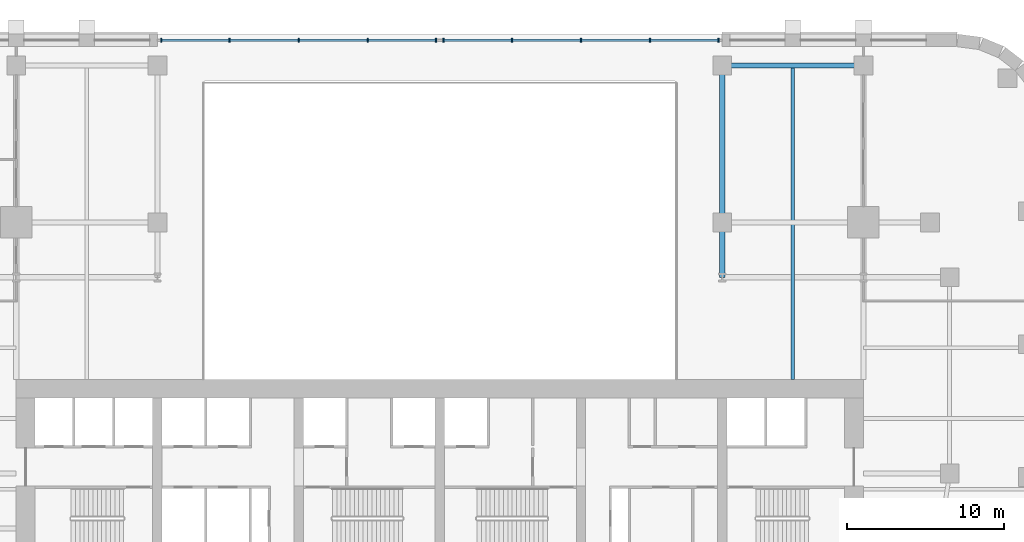
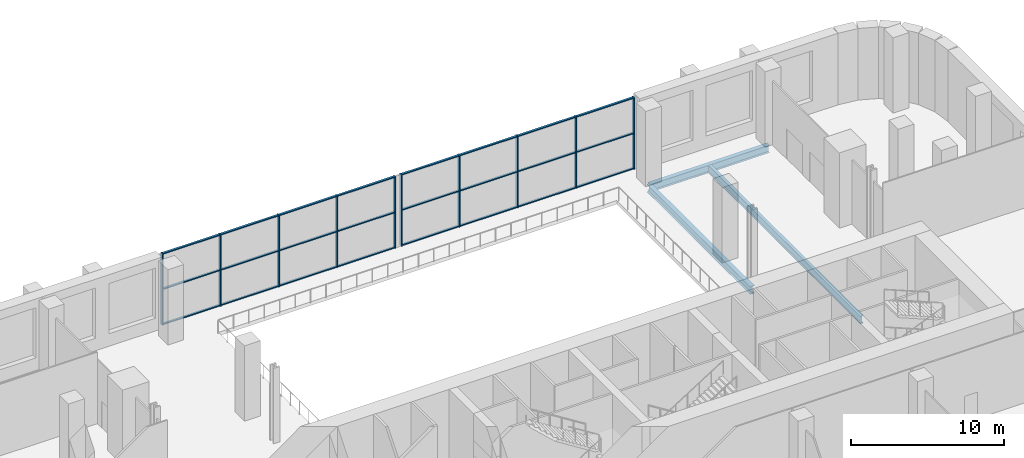
# One storey, part 2 of 13: 34 members, 3 beams, 2 elements without a shape of their own.
"""IFC4 building model written with IfcOpenShell, lengths in metres."""

from ifc_helpers import new_model, si_unit, direction, frame, origin, origin_2d, place, context, subcontext, project, spatial, rectangle, i_section, extrude, material, material_profile, profile_set, type_object, element, aggregate, save


model = new_model("IFC4")

# Units and contexts
model_context = context("Model", 3, precision=1e-05, world=origin(), true_north=direction((0.0, 1.0)))
body_context = subcontext(model_context, "Body", "Model", "MODEL_VIEW")
ifc_project = project(units=[si_unit("LENGTHUNIT", "METRE"), si_unit("AREAUNIT", "SQUARE_METRE"), si_unit("VOLUMEUNIT", "CUBIC_METRE"), si_unit("PLANEANGLEUNIT", "RADIAN"), si_unit("MASSUNIT", "GRAM", prefix="KILO")], contexts=[model_context])

# Site, building, storey
site_placement = place(None, origin())
site = spatial("IfcSite", under=ifc_project, at=site_placement, CompositionType="ELEMENT")
building_placement = place(site_placement, origin())
building = spatial("IfcBuilding", under=site, at=building_placement, Name="Zellij Exchange Tower", CompositionType="ELEMENT")
storey_placement = place(building_placement, frame((0.0, 0.0, 15.0)))
storey = spatial("IfcBuildingStorey", under=building, at=storey_placement, Name="L02", CompositionType="ELEMENT", Elevation=15.0)

# Curtain wall, members
ifc_material_1 = material(Name="Aluminium frame, clear insulating glass", Category="aluminium")
curtain_wall_type = type_object("IfcCurtainWallType", Name="ENV-CW3 Exchange-hall glazing", PredefinedType="NOTDEFINED", material=ifc_material_1)
curtain_wall_1_placement = place(storey_placement, origin())
curtain_wall_1 = element("IfcCurtainWall", 1, at=curtain_wall_1_placement, inside=storey, type_object=curtain_wall_type, Name="cw.L02.14b", PredefinedType="NOTDEFINED")
ifc_material_2 = material(Name="Aluminium", Category="aluminium")
ifc_material_profile_1 = material_profile(ifc_material_2, rectangle(XDim=0.080078125, YDim=0.25, at=origin_2d()), Name="AL 80x250")
ifc_profile_set_1 = profile_set([ifc_material_profile_1], Name="Aluminium")
member_type_1 = type_object("IfcMemberType", Name="ENV-CW3M Mullion 80x250", PredefinedType="MULLION", material=ifc_profile_set_1)
member_1_placement = place(storey_placement, frame((17.760009765625, 19.60009765625, 0.0), z_axis=(0.0, 0.0, 1.0), x_axis=(-1.0, 0.0, 0.0)))
member_1 = element("IfcMember", 2, at=member_1_placement, type_object=member_type_1, Name="CW3 mullion 1", PredefinedType="MULLION", context=body_context, shape_type="SweptSolid", body=[
    extrude(rectangle(XDim=0.080078125, YDim=0.25, at=origin_2d()), origin(), (0.0, 0.0, 1.0), 5.699951171875),
])
member_2_placement = place(storey_placement, frame((13.39990234375, 19.60009765625, 0.0), z_axis=(0.0, 0.0, 1.0), x_axis=(-1.0, 0.0, 0.0)))
member_2 = element("IfcMember", 3, at=member_2_placement, type_object=member_type_1, Name="CW3 mullion 2", PredefinedType="MULLION", context=body_context, shape_type="SweptSolid", body=[
    extrude(rectangle(XDim=0.080078125, YDim=0.25, at=origin_2d()), origin(), (0.0, 0.0, 1.0), 5.699951171875),
])
member_3_placement = place(storey_placement, frame((9.0, 19.60009765625, 0.0), z_axis=(0.0, 0.0, 1.0), x_axis=(-1.0, 0.0, 0.0)))
member_3 = element("IfcMember", 4, at=member_3_placement, type_object=member_type_1, Name="CW3 mullion 3", PredefinedType="MULLION", context=body_context, shape_type="SweptSolid", body=[
    extrude(rectangle(XDim=0.080078125, YDim=0.25, at=origin_2d()), origin(), (0.0, 0.0, 1.0), 5.699951171875),
])
member_4_placement = place(storey_placement, frame((4.60009765625, 19.60009765625, 0.0), z_axis=(0.0, 0.0, 1.0), x_axis=(-1.0, 0.0, 0.0)))
member_4 = element("IfcMember", 5, at=member_4_placement, type_object=member_type_1, Name="CW3 mullion 4", PredefinedType="MULLION", context=body_context, shape_type="SweptSolid", body=[
    extrude(rectangle(XDim=0.080078125, YDim=0.25, at=origin_2d()), origin(), (0.0, 0.0, 1.0), 5.699951171875),
])
member_5_placement = place(storey_placement, frame((0.239990234375, 19.60009765625, 0.0), z_axis=(0.0, 0.0, 1.0), x_axis=(-1.0, 0.0, 0.0)))
member_5 = element("IfcMember", 6, at=member_5_placement, type_object=member_type_1, Name="CW3 mullion 5", PredefinedType="MULLION", context=body_context, shape_type="SweptSolid", body=[
    extrude(rectangle(XDim=0.080078125, YDim=0.25, at=origin_2d()), origin(), (0.0, 0.0, 1.0), 5.699951171875),
])

curtain_wall_2_placement = place(storey_placement, origin())
curtain_wall_2 = element("IfcCurtainWall", 7, at=curtain_wall_2_placement, inside=storey, type_object=curtain_wall_type, Name="cw.L02.14c", PredefinedType="NOTDEFINED")
member_6_placement = place(storey_placement, frame((-0.239990234375, 19.60009765625, 0.0), z_axis=(0.0, 0.0, 1.0), x_axis=(-1.0, 0.0, 0.0)))
member_6 = element("IfcMember", 8, at=member_6_placement, type_object=member_type_1, Name="CW3 mullion 1", PredefinedType="MULLION", context=body_context, shape_type="SweptSolid", body=[
    extrude(rectangle(XDim=0.080078125, YDim=0.25, at=origin_2d()), origin(), (0.0, 0.0, 1.0), 5.699951171875),
])
member_7_placement = place(storey_placement, frame((-4.60009765625, 19.60009765625, 0.0), z_axis=(0.0, 0.0, 1.0), x_axis=(-1.0, 0.0, 0.0)))
member_7 = element("IfcMember", 9, at=member_7_placement, type_object=member_type_1, Name="CW3 mullion 2", PredefinedType="MULLION", context=body_context, shape_type="SweptSolid", body=[
    extrude(rectangle(XDim=0.080078125, YDim=0.25, at=origin_2d()), origin(), (0.0, 0.0, 1.0), 5.699951171875),
])
member_8_placement = place(storey_placement, frame((-9.0, 19.60009765625, 0.0), z_axis=(0.0, 0.0, 1.0), x_axis=(-1.0, 0.0, 0.0)))
member_8 = element("IfcMember", 10, at=member_8_placement, type_object=member_type_1, Name="CW3 mullion 3", PredefinedType="MULLION", context=body_context, shape_type="SweptSolid", body=[
    extrude(rectangle(XDim=0.080078125, YDim=0.25, at=origin_2d()), origin(), (0.0, 0.0, 1.0), 5.699951171875),
])
member_9_placement = place(storey_placement, frame((-13.39990234375, 19.60009765625, 0.0), z_axis=(0.0, 0.0, 1.0), x_axis=(-1.0, 0.0, 0.0)))
member_9 = element("IfcMember", 11, at=member_9_placement, type_object=member_type_1, Name="CW3 mullion 4", PredefinedType="MULLION", context=body_context, shape_type="SweptSolid", body=[
    extrude(rectangle(XDim=0.080078125, YDim=0.25, at=origin_2d()), origin(), (0.0, 0.0, 1.0), 5.699951171875),
])
member_10_placement = place(storey_placement, frame((-17.760009765625, 19.60009765625, 0.0), z_axis=(0.0, 0.0, 1.0), x_axis=(-1.0, 0.0, 0.0)))
member_10 = element("IfcMember", 12, at=member_10_placement, type_object=member_type_1, Name="CW3 mullion 5", PredefinedType="MULLION", context=body_context, shape_type="SweptSolid", body=[
    extrude(rectangle(XDim=0.080078125, YDim=0.25, at=origin_2d()), origin(), (0.0, 0.0, 1.0), 5.699951171875),
])

# Member
ifc_material_profile_2 = material_profile(ifc_material_2, rectangle(XDim=0.159912109375, YDim=0.080078125, at=origin_2d()), Name="AL 160x80")
ifc_profile_set_2 = profile_set([ifc_material_profile_2], Name="Aluminium")
member_type_2 = type_object("IfcMemberType", Name="ENV-CW3T Transom 160x80", PredefinedType="USERDEFINED", material=ifc_profile_set_2)
member_11_placement = place(storey_placement, frame((17.719970703125, 19.60009765625, 0.0400390625), z_axis=(-1.0, 0.0, 0.0), x_axis=(0.0, -1.0, 0.0)))
member_11 = element("IfcMember", 13, at=member_11_placement, type_object=member_type_2, Name="CW3 transom 1.1", ObjectType="TRANSOM", PredefinedType="USERDEFINED", context=body_context, shape_type="SweptSolid", body=[
    extrude(rectangle(XDim=0.159912109375, YDim=0.080078125, at=origin_2d()), origin(), (0.0, 0.0, 1.0), 4.280029296875),
])

member_12_placement = place(storey_placement, frame((17.719970703125, 19.60009765625, 2.85009765625), z_axis=(-1.0, 0.0, 0.0), x_axis=(0.0, -1.0, 0.0)))
member_12 = element("IfcMember", 14, at=member_12_placement, type_object=member_type_2, Name="CW3 transom 1.2", ObjectType="TRANSOM", PredefinedType="USERDEFINED", context=body_context, shape_type="SweptSolid", body=[
    extrude(rectangle(XDim=0.159912109375, YDim=0.080078125, at=origin_2d()), origin(), (0.0, 0.0, 1.0), 4.280029296875),
])

member_13_placement = place(storey_placement, frame((17.719970703125, 19.60009765625, 5.659912109375), z_axis=(-1.0, 0.0, 0.0), x_axis=(0.0, -1.0, 0.0)))
member_13 = element("IfcMember", 15, at=member_13_placement, type_object=member_type_2, Name="CW3 transom 1.3", ObjectType="TRANSOM", PredefinedType="USERDEFINED", context=body_context, shape_type="SweptSolid", body=[
    extrude(rectangle(XDim=0.159912109375, YDim=0.080078125, at=origin_2d()), origin(), (0.0, 0.0, 1.0), 4.280029296875),
])

member_14_placement = place(storey_placement, frame((13.360107421875, 19.60009765625, 0.0400390625), z_axis=(-1.0, 0.0, 0.0), x_axis=(0.0, -1.0, 0.0)))
member_14 = element("IfcMember", 16, at=member_14_placement, type_object=member_type_2, Name="CW3 transom 2.1", ObjectType="TRANSOM", PredefinedType="USERDEFINED", context=body_context, shape_type="SweptSolid", body=[
    extrude(rectangle(XDim=0.159912109375, YDim=0.080078125, at=origin_2d()), origin(), (0.0, 0.0, 1.0), 4.320068359375),
])

member_15_placement = place(storey_placement, frame((13.360107421875, 19.60009765625, 2.85009765625), z_axis=(-1.0, 0.0, 0.0), x_axis=(0.0, -1.0, 0.0)))
member_15 = element("IfcMember", 17, at=member_15_placement, type_object=member_type_2, Name="CW3 transom 2.2", ObjectType="TRANSOM", PredefinedType="USERDEFINED", context=body_context, shape_type="SweptSolid", body=[
    extrude(rectangle(XDim=0.159912109375, YDim=0.080078125, at=origin_2d()), origin(), (0.0, 0.0, 1.0), 4.320068359375),
])

member_16_placement = place(storey_placement, frame((13.360107421875, 19.60009765625, 5.659912109375), z_axis=(-1.0, 0.0, 0.0), x_axis=(0.0, -1.0, 0.0)))
member_16 = element("IfcMember", 18, at=member_16_placement, type_object=member_type_2, Name="CW3 transom 2.3", ObjectType="TRANSOM", PredefinedType="USERDEFINED", context=body_context, shape_type="SweptSolid", body=[
    extrude(rectangle(XDim=0.159912109375, YDim=0.080078125, at=origin_2d()), origin(), (0.0, 0.0, 1.0), 4.320068359375),
])

member_17_placement = place(storey_placement, frame((8.9599609375, 19.60009765625, 0.0400390625), z_axis=(-1.0, 0.0, 0.0), x_axis=(0.0, -1.0, 0.0)))
member_17 = element("IfcMember", 19, at=member_17_placement, type_object=member_type_2, Name="CW3 transom 3.1", ObjectType="TRANSOM", PredefinedType="USERDEFINED", context=body_context, shape_type="SweptSolid", body=[
    extrude(rectangle(XDim=0.159912109375, YDim=0.080078125, at=origin_2d()), origin(), (0.0, 0.0, 1.0), 4.320068359375),
])

member_18_placement = place(storey_placement, frame((8.9599609375, 19.60009765625, 2.85009765625), z_axis=(-1.0, 0.0, 0.0), x_axis=(0.0, -1.0, 0.0)))
member_18 = element("IfcMember", 20, at=member_18_placement, type_object=member_type_2, Name="CW3 transom 3.2", ObjectType="TRANSOM", PredefinedType="USERDEFINED", context=body_context, shape_type="SweptSolid", body=[
    extrude(rectangle(XDim=0.159912109375, YDim=0.080078125, at=origin_2d()), origin(), (0.0, 0.0, 1.0), 4.320068359375),
])

member_19_placement = place(storey_placement, frame((8.9599609375, 19.60009765625, 5.659912109375), z_axis=(-1.0, 0.0, 0.0), x_axis=(0.0, -1.0, 0.0)))
member_19 = element("IfcMember", 21, at=member_19_placement, type_object=member_type_2, Name="CW3 transom 3.3", ObjectType="TRANSOM", PredefinedType="USERDEFINED", context=body_context, shape_type="SweptSolid", body=[
    extrude(rectangle(XDim=0.159912109375, YDim=0.080078125, at=origin_2d()), origin(), (0.0, 0.0, 1.0), 4.320068359375),
])

member_20_placement = place(storey_placement, frame((4.56005859375, 19.60009765625, 0.0400390625), z_axis=(-1.0, 0.0, 0.0), x_axis=(0.0, -1.0, 0.0)))
member_20 = element("IfcMember", 22, at=member_20_placement, type_object=member_type_2, Name="CW3 transom 4.1", ObjectType="TRANSOM", PredefinedType="USERDEFINED", context=body_context, shape_type="SweptSolid", body=[
    extrude(rectangle(XDim=0.159912109375, YDim=0.080078125, at=origin_2d()), origin(), (0.0, 0.0, 1.0), 4.280029296875),
])

member_21_placement = place(storey_placement, frame((4.56005859375, 19.60009765625, 2.85009765625), z_axis=(-1.0, 0.0, 0.0), x_axis=(0.0, -1.0, 0.0)))
member_21 = element("IfcMember", 23, at=member_21_placement, type_object=member_type_2, Name="CW3 transom 4.2", ObjectType="TRANSOM", PredefinedType="USERDEFINED", context=body_context, shape_type="SweptSolid", body=[
    extrude(rectangle(XDim=0.159912109375, YDim=0.080078125, at=origin_2d()), origin(), (0.0, 0.0, 1.0), 4.280029296875),
])

member_22_placement = place(storey_placement, frame((4.56005859375, 19.60009765625, 5.659912109375), z_axis=(-1.0, 0.0, 0.0), x_axis=(0.0, -1.0, 0.0)))
member_22 = element("IfcMember", 24, at=member_22_placement, type_object=member_type_2, Name="CW3 transom 4.3", ObjectType="TRANSOM", PredefinedType="USERDEFINED", context=body_context, shape_type="SweptSolid", body=[
    extrude(rectangle(XDim=0.159912109375, YDim=0.080078125, at=origin_2d()), origin(), (0.0, 0.0, 1.0), 4.280029296875),
])

aggregate(curtain_wall_1, [member_1, member_2, member_3, member_4, member_5, member_11, member_12, member_13, member_14, member_15, member_16, member_17, member_18, member_19, member_20, member_21, member_22])

member_23_placement = place(storey_placement, frame((-0.280029296875, 19.60009765625, 0.0400390625), z_axis=(-1.0, 0.0, 0.0), x_axis=(0.0, -1.0, 0.0)))
member_23 = element("IfcMember", 25, at=member_23_placement, type_object=member_type_2, Name="CW3 transom 1.1", ObjectType="TRANSOM", PredefinedType="USERDEFINED", context=body_context, shape_type="SweptSolid", body=[
    extrude(rectangle(XDim=0.159912109375, YDim=0.080078125, at=origin_2d()), origin(), (0.0, 0.0, 1.0), 4.280029296875),
])

member_24_placement = place(storey_placement, frame((-0.280029296875, 19.60009765625, 2.85009765625), z_axis=(-1.0, 0.0, 0.0), x_axis=(0.0, -1.0, 0.0)))
member_24 = element("IfcMember", 26, at=member_24_placement, type_object=member_type_2, Name="CW3 transom 1.2", ObjectType="TRANSOM", PredefinedType="USERDEFINED", context=body_context, shape_type="SweptSolid", body=[
    extrude(rectangle(XDim=0.159912109375, YDim=0.080078125, at=origin_2d()), origin(), (0.0, 0.0, 1.0), 4.280029296875),
])

member_25_placement = place(storey_placement, frame((-0.280029296875, 19.60009765625, 5.659912109375), z_axis=(-1.0, 0.0, 0.0), x_axis=(0.0, -1.0, 0.0)))
member_25 = element("IfcMember", 27, at=member_25_placement, type_object=member_type_2, Name="CW3 transom 1.3", ObjectType="TRANSOM", PredefinedType="USERDEFINED", context=body_context, shape_type="SweptSolid", body=[
    extrude(rectangle(XDim=0.159912109375, YDim=0.080078125, at=origin_2d()), origin(), (0.0, 0.0, 1.0), 4.280029296875),
])

member_26_placement = place(storey_placement, frame((-4.639892578125, 19.60009765625, 0.0400390625), z_axis=(-1.0, 0.0, 0.0), x_axis=(0.0, -1.0, 0.0)))
member_26 = element("IfcMember", 28, at=member_26_placement, type_object=member_type_2, Name="CW3 transom 2.1", ObjectType="TRANSOM", PredefinedType="USERDEFINED", context=body_context, shape_type="SweptSolid", body=[
    extrude(rectangle(XDim=0.159912109375, YDim=0.080078125, at=origin_2d()), origin(), (0.0, 0.0, 1.0), 4.320068359375),
])

member_27_placement = place(storey_placement, frame((-4.639892578125, 19.60009765625, 2.85009765625), z_axis=(-1.0, 0.0, 0.0), x_axis=(0.0, -1.0, 0.0)))
member_27 = element("IfcMember", 29, at=member_27_placement, type_object=member_type_2, Name="CW3 transom 2.2", ObjectType="TRANSOM", PredefinedType="USERDEFINED", context=body_context, shape_type="SweptSolid", body=[
    extrude(rectangle(XDim=0.159912109375, YDim=0.080078125, at=origin_2d()), origin(), (0.0, 0.0, 1.0), 4.320068359375),
])

member_28_placement = place(storey_placement, frame((-4.639892578125, 19.60009765625, 5.659912109375), z_axis=(-1.0, 0.0, 0.0), x_axis=(0.0, -1.0, 0.0)))
member_28 = element("IfcMember", 30, at=member_28_placement, type_object=member_type_2, Name="CW3 transom 2.3", ObjectType="TRANSOM", PredefinedType="USERDEFINED", context=body_context, shape_type="SweptSolid", body=[
    extrude(rectangle(XDim=0.159912109375, YDim=0.080078125, at=origin_2d()), origin(), (0.0, 0.0, 1.0), 4.320068359375),
])

member_29_placement = place(storey_placement, frame((-9.0400390625, 19.60009765625, 0.0400390625), z_axis=(-1.0, 0.0, 0.0), x_axis=(0.0, -1.0, 0.0)))
member_29 = element("IfcMember", 31, at=member_29_placement, type_object=member_type_2, Name="CW3 transom 3.1", ObjectType="TRANSOM", PredefinedType="USERDEFINED", context=body_context, shape_type="SweptSolid", body=[
    extrude(rectangle(XDim=0.159912109375, YDim=0.080078125, at=origin_2d()), origin(), (0.0, 0.0, 1.0), 4.320068359375),
])

member_30_placement = place(storey_placement, frame((-9.0400390625, 19.60009765625, 2.85009765625), z_axis=(-1.0, 0.0, 0.0), x_axis=(0.0, -1.0, 0.0)))
member_30 = element("IfcMember", 32, at=member_30_placement, type_object=member_type_2, Name="CW3 transom 3.2", ObjectType="TRANSOM", PredefinedType="USERDEFINED", context=body_context, shape_type="SweptSolid", body=[
    extrude(rectangle(XDim=0.159912109375, YDim=0.080078125, at=origin_2d()), origin(), (0.0, 0.0, 1.0), 4.320068359375),
])

member_31_placement = place(storey_placement, frame((-9.0400390625, 19.60009765625, 5.659912109375), z_axis=(-1.0, 0.0, 0.0), x_axis=(0.0, -1.0, 0.0)))
member_31 = element("IfcMember", 33, at=member_31_placement, type_object=member_type_2, Name="CW3 transom 3.3", ObjectType="TRANSOM", PredefinedType="USERDEFINED", context=body_context, shape_type="SweptSolid", body=[
    extrude(rectangle(XDim=0.159912109375, YDim=0.080078125, at=origin_2d()), origin(), (0.0, 0.0, 1.0), 4.320068359375),
])

member_32_placement = place(storey_placement, frame((-13.43994140625, 19.60009765625, 0.0400390625), z_axis=(-1.0, 0.0, 0.0), x_axis=(0.0, -1.0, 0.0)))
member_32 = element("IfcMember", 34, at=member_32_placement, type_object=member_type_2, Name="CW3 transom 4.1", ObjectType="TRANSOM", PredefinedType="USERDEFINED", context=body_context, shape_type="SweptSolid", body=[
    extrude(rectangle(XDim=0.159912109375, YDim=0.080078125, at=origin_2d()), origin(), (0.0, 0.0, 1.0), 4.280029296875),
])

member_33_placement = place(storey_placement, frame((-13.43994140625, 19.60009765625, 2.85009765625), z_axis=(-1.0, 0.0, 0.0), x_axis=(0.0, -1.0, 0.0)))
member_33 = element("IfcMember", 35, at=member_33_placement, type_object=member_type_2, Name="CW3 transom 4.2", ObjectType="TRANSOM", PredefinedType="USERDEFINED", context=body_context, shape_type="SweptSolid", body=[
    extrude(rectangle(XDim=0.159912109375, YDim=0.080078125, at=origin_2d()), origin(), (0.0, 0.0, 1.0), 4.280029296875),
])

member_34_placement = place(storey_placement, frame((-13.43994140625, 19.60009765625, 5.659912109375), z_axis=(-1.0, 0.0, 0.0), x_axis=(0.0, -1.0, 0.0)))
member_34 = element("IfcMember", 36, at=member_34_placement, type_object=member_type_2, Name="CW3 transom 4.3", ObjectType="TRANSOM", PredefinedType="USERDEFINED", context=body_context, shape_type="SweptSolid", body=[
    extrude(rectangle(XDim=0.159912109375, YDim=0.080078125, at=origin_2d()), origin(), (0.0, 0.0, 1.0), 4.280029296875),
])

aggregate(curtain_wall_2, [member_6, member_7, member_8, member_9, member_10, member_23, member_24, member_25, member_26, member_27, member_28, member_29, member_30, member_31, member_32, member_33, member_34])

# Beams
ifc_material_3 = material(Name="Structural steel ASTM A992 Gr 50", Category="steel")
ifc_material_profile_3 = material_profile(ifc_material_3, i_section(OverallWidth=0.22900390625, OverallDepth=0.612060546875, WebThickness=0.011962890625, FlangeThickness=0.01953125, at=origin_2d()), Name="W24x84")
ifc_profile_set_3 = profile_set([ifc_material_profile_3], Name="Structural steel ASTM A992 Gr 50")
beam_type_1 = type_object("IfcBeamType", Name="STR-BEAM W24x84", PredefinedType="BEAM", material=ifc_profile_set_3)
beam_1_placement = place(storey_placement, frame((22.5, -2.0, -0.606201171875), z_axis=(0.0, 1.0, 0.0), x_axis=(-1.0, 0.0, 0.0)))
element("IfcBeam", 37, at=beam_1_placement, inside=storey, type_object=beam_type_1, Name="B6", PredefinedType="BEAM", context=body_context, shape_type="SweptSolid", body=[
    extrude(i_section(OverallWidth=0.22900390625, OverallDepth=0.612060546875, WebThickness=0.011962890625, FlangeThickness=0.01953125, at=origin_2d()), origin(), (0.0, 0.0, 1.0), 20.16259765625),
])
ifc_material_profile_4 = material_profile(ifc_material_3, i_section(OverallWidth=0.3251953125, OverallDepth=0.612060546875, WebThickness=0.0126953125, FlangeThickness=0.01904296875, at=origin_2d()), Name="W24x104")
ifc_profile_set_4 = profile_set([ifc_material_profile_4], Name="Structural steel ASTM A992 Gr 50")
beam_type_2 = type_object("IfcBeamType", Name="STR-GIRDER W24x104", PredefinedType="BEAM", material=ifc_profile_set_4)
beam_2_placement = place(storey_placement, frame((18.0, 18.0, -0.606201171875), z_axis=(1.0, 0.0, 0.0), x_axis=(0.0, 1.0, 0.0)))
element("IfcBeam", 38, at=beam_2_placement, inside=storey, type_object=beam_type_2, Name="G3", PredefinedType="BEAM", context=body_context, shape_type="SweptSolid", body=[
    extrude(i_section(OverallWidth=0.3251953125, OverallDepth=0.612060546875, WebThickness=0.0126953125, FlangeThickness=0.01904296875, at=origin_2d()), origin(), (0.0, 0.0, 1.0), 9.0),
])
beam_3_placement = place(storey_placement, frame((18.0, 4.5, -0.606201171875), z_axis=(0.0, 1.0, 0.0), x_axis=(-1.0, 0.0, 0.0)))
element("IfcBeam", 39, at=beam_3_placement, inside=storey, type_object=beam_type_2, Name="G3", PredefinedType="BEAM", context=body_context, shape_type="SweptSolid", body=[
    extrude(i_section(OverallWidth=0.3251953125, OverallDepth=0.612060546875, WebThickness=0.0126953125, FlangeThickness=0.01904296875, at=origin_2d()), origin(), (0.0, 0.0, 1.0), 13.5),
])

save(model, "model.ifc")
